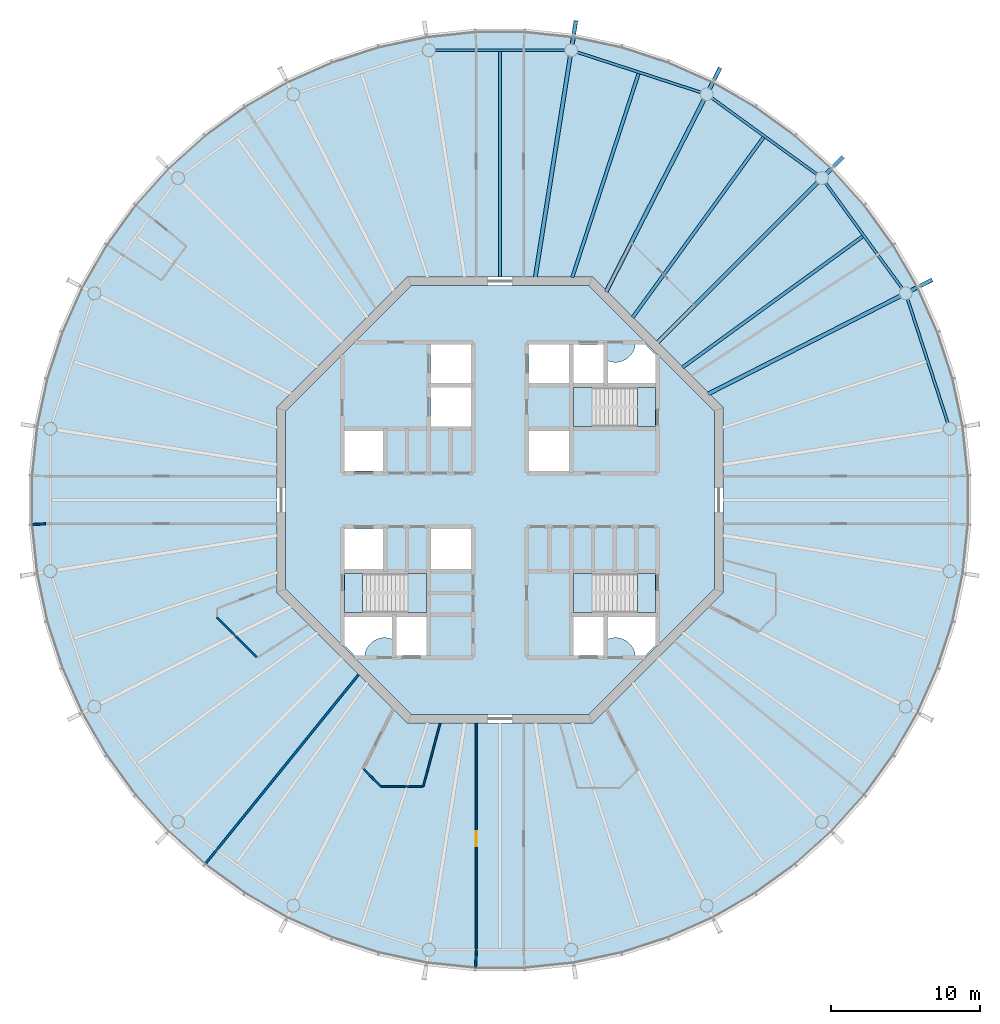
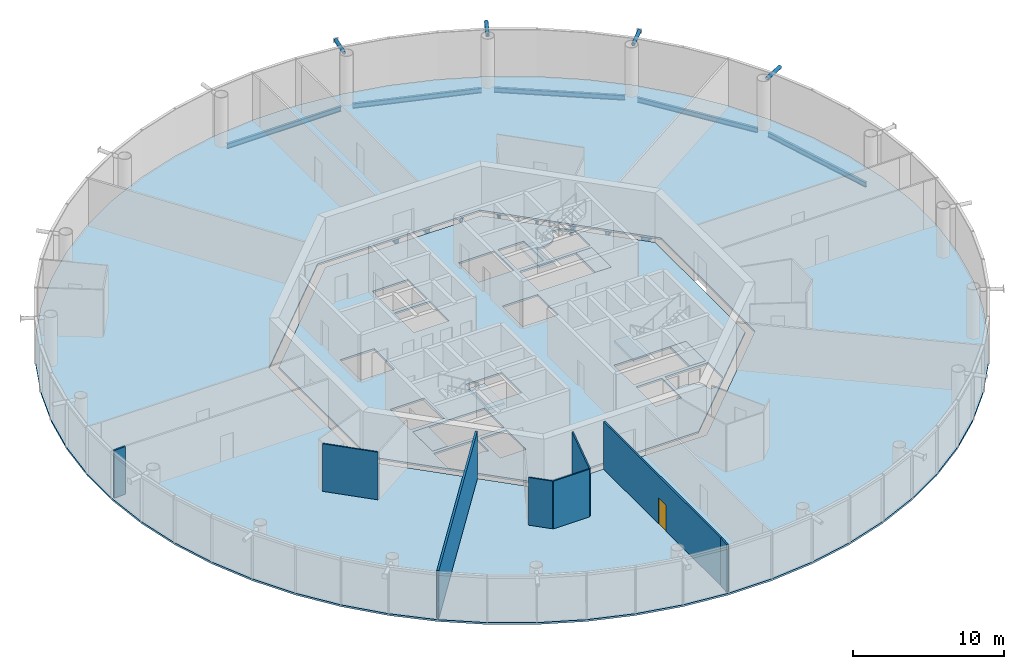
# One storey, part 2 of 19: 13 beams, 8 slabs, 8 walls, 4 members, 1 door, 1 opening, 3 elements without a shape of their own.
"""IFC4 building model written with IfcOpenShell, lengths in metres."""

import ifcopenshell
import ifcopenshell.guid

model = None  # the IFC model being written
_history = None  # IfcOwnerHistory: only IFC2X3 demands one
_inside = {}  # id of a spatial element -> (the spatial element, [elements in it])
_under = {}  # id of a project, library or spatial element -> (it, [spatial elements below it])
_declared = {}  # id of a project -> (the project, [libraries it declares])
_typed = {}  # id of a type object -> (the type object, [elements of that type])
_made_of = {}  # id of a material, layer set ... -> (it, [elements and type objects made of it])


def new_model(schema):
    """Start an empty IFC model of exactly this schema.

    Asked for "IFC4X3", IfcOpenShell would pick the latest addendum, in which some entities
    have other attributes; the version numbers below select the first issue.
    IFC2X3 requires an IfcOwnerHistory on every rooted entity: one is made here for all.
    """
    global model, _history
    if schema == "IFC4X3":
        model = ifcopenshell.file(schema_version=(4, 3, 0, 0))
    else:
        model = ifcopenshell.file(schema=schema)
    _inside.clear()
    _under.clear()
    _declared.clear()
    _typed.clear()
    _made_of.clear()
    _history = None
    if model.schema == "IFC2X3":
        org = make("IfcOrganization", Name="unknown")
        user = make(
            "IfcPersonAndOrganization",
            ThePerson=make("IfcPerson", FamilyName="unknown"),
            TheOrganization=org,
        )
        app = make(
            "IfcApplication",
            ApplicationDeveloper=org,
            Version="unknown",
            ApplicationFullName="unknown",
            ApplicationIdentifier="unknown",
        )
        _history = make(
            "IfcOwnerHistory",
            OwningUser=user,
            OwningApplication=app,
            ChangeAction="ADDED",
            CreationDate=0,
        )
    return model


def make(cls, **values):
    """One entity of the class cls with the attributes given. An attribute that is None is left unset."""
    return model.create_entity(
        cls, **{name: value for name, value in values.items() if value is not None}
    )


def rooted(cls, **values):
    """An entity with a GlobalId (a new one), such as an element, a storey or a relation."""
    return make(cls, GlobalId=ifcopenshell.guid.new(), OwnerHistory=_history, **values)


def si_unit(unit_type, name, prefix=None):
    """IfcSIUnit, for example si_unit("LENGTHUNIT", "METRE", prefix="MILLI")."""
    return make("IfcSIUnit", UnitType=unit_type, Prefix=prefix, Name=name)


def assignment(units):
    """IfcUnitAssignment: the units of a project."""
    return None if units is None else make("IfcUnitAssignment", Units=units)


def point(xyz):
    """IfcCartesianPoint."""
    return None if xyz is None else make("IfcCartesianPoint", Coordinates=xyz)


def direction(xyz):
    """IfcDirection."""
    return None if xyz is None else make("IfcDirection", DirectionRatios=xyz)


def frame(location, z_axis=None, x_axis=None):
    """IfcAxis2Placement3D, a coordinate frame: its origin and axes. An axis left out is left unset."""
    return make(
        "IfcAxis2Placement3D",
        Location=point(location),
        Axis=direction(z_axis),
        RefDirection=direction(x_axis),
    )


def frame_2d(location, x_axis=None):
    """IfcAxis2Placement2D, a coordinate frame in the plane: its origin and x axis."""
    return make(
        "IfcAxis2Placement2D", Location=point(location), RefDirection=direction(x_axis)
    )


def origin():
    """The frame at (0, 0, 0) with its axes left unset."""
    return frame((0.0, 0.0, 0.0))


def origin_2d():
    """The frame at (0, 0) in the plane with its x axis left unset."""
    return frame_2d((0.0, 0.0))


def place(relative_to, where):
    """IfcLocalPlacement: puts the frame where relative to a parent placement (None: the world)."""
    return make(
        "IfcLocalPlacement", PlacementRelTo=relative_to, RelativePlacement=where
    )


def context(
    kind, dimensions, precision=None, world=None, true_north=None, identifier=None
):
    """IfcGeometricRepresentationContext, for example the 3D "Model" context."""
    return make(
        "IfcGeometricRepresentationContext",
        ContextIdentifier=identifier,
        ContextType=kind,
        CoordinateSpaceDimension=dimensions,
        Precision=precision,
        WorldCoordinateSystem=world,
        TrueNorth=true_north,
    )


def subcontext(parent, identifier, kind, view, scale=None):
    """IfcGeometricRepresentationSubContext, for example "Body" below "Model"."""
    return make(
        "IfcGeometricRepresentationSubContext",
        ContextIdentifier=identifier,
        ContextType=kind,
        ParentContext=parent,
        TargetScale=scale,
        TargetView=view,
    )


def project(units=None, contexts=None):
    """IfcProject with its units and contexts."""
    return rooted(
        "IfcProject",
        Name="project",
        RepresentationContexts=contexts,
        UnitsInContext=assignment(units),
    )


def spatial(cls, under=None, at=None, **own):
    """A site, building, storey or space (cls), placed at a placement, below another one or the project."""
    s = rooted(cls, ObjectPlacement=at, **own)
    if under is not None:
        _under.setdefault(under.id(), (under, []))[1].append(s)
    return s


def polyline(points):
    """IfcPolyline through the points."""
    return make("IfcPolyline", Points=[point(p) for p in points])


def profile(cls, at=None, kind="AREA", **sizes):
    """A parametric profile (cls). Its sizes go by their IFC names, for example OverallWidth=200.0."""
    return make(cls, ProfileType=kind, Position=at, **sizes)


def rectangle(**sizes):
    """IfcRectangleProfileDef."""
    return profile("IfcRectangleProfileDef", **sizes)


def circle(**sizes):
    """IfcCircleProfileDef."""
    return profile("IfcCircleProfileDef", **sizes)


def hollow_circle(**sizes):
    """IfcCircleHollowProfileDef."""
    return profile("IfcCircleHollowProfileDef", **sizes)


def i_section(**sizes):
    """IfcIShapeProfileDef."""
    return profile("IfcIShapeProfileDef", **sizes)


def outline(outer, holes=None, kind="AREA"):
    """IfcArbitraryClosedProfileDef: a profile drawn as a closed curve; with holes, ...WithVoids."""
    if holes is None:
        return make("IfcArbitraryClosedProfileDef", ProfileType=kind, OuterCurve=outer)
    return make(
        "IfcArbitraryProfileDefWithVoids",
        ProfileType=kind,
        OuterCurve=outer,
        InnerCurves=holes,
    )


def extrude(swept, where, along, depth):
    """IfcExtrudedAreaSolid: the profile swept, set in the frame where, extruded along a direction by depth."""
    return make(
        "IfcExtrudedAreaSolid",
        SweptArea=swept,
        Position=where,
        ExtrudedDirection=direction(along),
        Depth=depth,
    )


def shape(context_of_items, identifier, shape_type, items):
    """IfcShapeRepresentation: the items that make up one representation, for example the "Body"."""
    return make(
        "IfcShapeRepresentation",
        ContextOfItems=context_of_items,
        RepresentationIdentifier=identifier,
        RepresentationType=shape_type,
        Items=items,
    )


def material(Name=None, Category=None):
    """IfcMaterial."""
    return make("IfcMaterial", Name=Name, Category=Category)


def layer(
    of_material, thickness, ventilated=None, Name=None, Category=None, Priority=None
):
    """IfcMaterialLayer: one layer of a wall or slab, of a material (None: an air gap)."""
    return make(
        "IfcMaterialLayer",
        Material=of_material,
        LayerThickness=thickness,
        IsVentilated=ventilated,
        Name=Name,
        Category=Category,
        Priority=Priority,
    )


def layer_set(layers, Name=None):
    """IfcMaterialLayerSet."""
    return make("IfcMaterialLayerSet", MaterialLayers=layers, LayerSetName=Name)


def material_profile(
    of_material, cross_section, Name=None, Category=None, Priority=None
):
    """IfcMaterialProfile: a cross section and its material."""
    return make(
        "IfcMaterialProfile",
        Name=Name,
        Material=of_material,
        Profile=cross_section,
        Priority=Priority,
        Category=Category,
    )


def profile_set(profiles, Name=None, composite=None):
    """IfcMaterialProfileSet."""
    return make(
        "IfcMaterialProfileSet",
        Name=Name,
        MaterialProfiles=profiles,
        CompositeProfile=composite,
    )


def made_of(thing, what):
    """Note that an element or type object is made of a material, layer set ...; save() writes the relation."""
    if what is not None:
        _made_of.setdefault(what.id(), (what, []))[1].append(thing)
    return thing


def type_object(cls, material=None, **own):
    """A type object (cls), such as IfcWallType, which elements share."""
    return made_of(rooted(cls, **own), material)


def element(
    cls,
    number,
    at=None,
    inside=None,
    cuts=None,
    type_object=None,
    material=None,
    context=None,
    identifier="Body",
    shape_type=None,
    held_by="IfcProductDefinitionShape",
    body=None,
    shapes=None,
    **own,
):
    """One element of the class cls, such as IfcWall. Its Tag is "e" and its number.

    at: its placement. inside: the storey or other place that contains it. cuts: it is an
    opening in that element (IfcRelVoidsElement). A single representation is given by context,
    identifier, shape_type and body (its items); several are given by shapes. held_by: the class
    of the entity that holds the representations. save() writes the other relations.
    """
    e = rooted(cls, Tag="e%d" % number, ObjectPlacement=at, **own)
    if body is not None:
        shapes = [shape(context, identifier, shape_type, body)]
    if shapes is not None:
        e.Representation = make(held_by, Representations=shapes)
    if inside is not None:
        _inside.setdefault(inside.id(), (inside, []))[1].append(e)
    if cuts is not None:
        rooted(
            "IfcRelVoidsElement", RelatingBuildingElement=cuts, RelatedOpeningElement=e
        )
    if type_object is not None:
        _typed.setdefault(type_object.id(), (type_object, []))[1].append(e)
    return made_of(e, material)


def fill(opening, filler):
    """IfcRelFillsElement: the door or window that sits in an opening."""
    return rooted(
        "IfcRelFillsElement",
        RelatingOpeningElement=opening,
        RelatedBuildingElement=filler,
    )


def aggregate(whole, parts):
    """IfcRelAggregates: a whole, such as a stair, and the parts it consists of."""
    return rooted("IfcRelAggregates", RelatingObject=whole, RelatedObjects=parts)


def save(model, path):
    """Write the relations noted so far, then the file.

    IfcRelAggregates (storeys below a building ...), IfcRelContainedInSpatialStructure (elements
    in a storey), IfcRelDefinesByType, IfcRelAssociatesMaterial and IfcRelDeclares: one each for
    every whole, place, type object, material and project.
    """
    for whole, parts in _under.values():
        aggregate(whole, parts)
    for where, things in _inside.values():
        rooted(
            "IfcRelContainedInSpatialStructure",
            RelatedElements=things,
            RelatingStructure=where,
        )
    for kind, things in _typed.values():
        rooted("IfcRelDefinesByType", RelatedObjects=things, RelatingType=kind)
    for what, things in _made_of.values():
        rooted("IfcRelAssociatesMaterial", RelatedObjects=things, RelatingMaterial=what)
    for by, libraries in _declared.values():
        rooted("IfcRelDeclares", RelatingContext=by, RelatedDefinitions=libraries)
    model.write(path)


model = new_model("IFC4")

# Units and contexts
model_context = context("Model", 3, precision=1e-05, world=origin(), true_north=direction((0.0, 1.0)))
body_context = subcontext(model_context, "Body", "Model", "MODEL_VIEW")
ifc_project = project(units=[si_unit("LENGTHUNIT", "METRE"), si_unit("AREAUNIT", "SQUARE_METRE"), si_unit("VOLUMEUNIT", "CUBIC_METRE"), si_unit("PLANEANGLEUNIT", "RADIAN"), si_unit("MASSUNIT", "GRAM", prefix="KILO")], contexts=[model_context])

# Site, building, storey
site_placement = place(None, origin())
site = spatial("IfcSite", under=ifc_project, at=site_placement, CompositionType="ELEMENT")
building_placement = place(site_placement, origin())
building = spatial("IfcBuilding", under=site, at=building_placement, Name="Entoto Ring Tower", CompositionType="ELEMENT")
storey_placement = place(building_placement, frame((0.0, 0.0, 368.0)))
storey = spatial("IfcBuildingStorey", under=building, at=storey_placement, Name="L85", CompositionType="ELEMENT", Elevation=368.0)

# Members
ifc_material_1 = material(Name="Steel S355", Category="steel")
ifc_material_profile_1 = material_profile(ifc_material_1, hollow_circle(Radius=0.136474609375, WallThickness=0.012451171875, at=origin_2d()), Name="CHS 273 x 12.5")
ifc_material_2 = material(Name="Concrete C60/75", Category="concrete")
ifc_material_profile_2 = material_profile(ifc_material_2, circle(Radius=0.1240234375, at=origin_2d()), Name="Concrete C60/75 infill")
ifc_profile_set_1 = profile_set([ifc_material_profile_1, ifc_material_profile_2], Name="Steel S355")
member_type = type_object("IfcMemberType", Name="Diagrid node strut 273 x 12.5", PredefinedType="STRUT", material=ifc_profile_set_1)
for number, where, z_axis, x_axis, name in (
    (1, (117.62890625, 94.07763671875, 3.71337890625), (0.891026618078, 0.453951061104, 0.0), (-0.453951061104, 0.891026618078, 0.0), "DS2 strut ring 27 01"),
    (2, (111.926513671875, 101.926513671875, 3.71337890625), (0.707106781187, 0.707106781187, 0.0), (-0.707106781187, 0.707106781187, 0.0), "DS2 strut ring 27 02"),
    (3, (104.07763671875, 107.62890625, 3.71337890625), (0.453951061104, 0.891026618078, 0.0), (-0.891026618078, 0.453951061104, 0.0), "DS2 strut ring 27 03"),
    (4, (94.850830078125, 110.626953125, 3.71337890625), (0.156482501672, 0.987680731143, 0.0), (-0.987680731143, 0.156482501672, 0.0), "DS2 strut ring 27 04"),
):
    element("IfcMember", number, at=place(storey_placement, frame(where, z_axis=z_axis, x_axis=x_axis)), inside=storey, type_object=member_type, Name=name, PredefinedType="STRUT", context=body_context, shape_type="SweptSolid", body=[
        extrude(hollow_circle(Radius=0.136474609375, WallThickness=0.012451171875, at=origin_2d()), origin(), (0.0, 0.0, 1.0), 1.59130859375),
    ])

# Beams
ifc_material_3 = material(Name="Steel S355", Category="steel")
ifc_material_profile_3 = material_profile(ifc_material_3, i_section(OverallWidth=0.179931640625, OverallDepth=0.39990234375, WebThickness=0.008544921875, FlangeThickness=0.013427734375, FilletRadius=0.02099609375, at=origin_2d()), Name="IPE 400")
ifc_profile_set_2 = profile_set([ifc_material_profile_3], Name="Steel S355")
beam_type_1 = type_object("IfcBeamType", Name="Edge beam IPE 400", PredefinedType="SPANDREL", material=ifc_profile_set_2)
beam_1_placement = place(storey_placement, frame((120.09326171875, 85.187255859375, -0.35009765625), z_axis=(-0.309030438368, 0.951052147972, 0.0), x_axis=(-0.951052147972, -0.309030438368, 0.0)))
element("IfcBeam", 5, at=beam_1_placement, inside=storey, type_object=beam_type_1, Name="Edge beam L85 01", PredefinedType="SPANDREL", context=body_context, shape_type="SweptSolid", body=[
    extrude(i_section(OverallWidth=0.179931640625, OverallDepth=0.39990234375, WebThickness=0.008544921875, FlangeThickness=0.013427734375, FilletRadius=0.02099609375, at=origin_2d()), origin(), (0.0, 0.0, 1.0), 8.732177734375),
])
for number, where, z_axis, x_axis, name in (
    (6, (117.017333984375, 94.232666015625, -0.35009765625), (-0.587794254874, 0.80901045354, 0.0), (-0.80901045354, -0.587794254874, 0.0), "Edge beam L85 02"),
    (7, (111.296875, 101.884765625, -0.35009765625), (-0.80901045354, 0.587794254874, 0.0), (-0.587794254874, -0.80901045354, 0.0), "Edge beam L85 03"),
):
    element("IfcBeam", number, at=place(storey_placement, frame(where, z_axis=z_axis, x_axis=x_axis)), inside=storey, type_object=beam_type_1, Name=name, PredefinedType="SPANDREL", context=body_context, shape_type="SweptSolid", body=[
        extrude(i_section(OverallWidth=0.179931640625, OverallDepth=0.39990234375, WebThickness=0.008544921875, FlangeThickness=0.013427734375, FilletRadius=0.02099609375, at=origin_2d()), origin(), (0.0, 0.0, 1.0), 8.73193359375),
    ])
beam_2_placement = place(storey_placement, frame((103.491943359375, 107.394775390625, -0.35009765625), z_axis=(-0.951052147972, 0.309030438368, 0.0), x_axis=(-0.309030438368, -0.951052147972, 0.0)))
element("IfcBeam", 8, at=beam_2_placement, inside=storey, type_object=beam_type_1, Name="Edge beam L85 04", PredefinedType="SPANDREL", context=body_context, shape_type="SweptSolid", body=[
    extrude(i_section(OverallWidth=0.179931640625, OverallDepth=0.39990234375, WebThickness=0.008544921875, FlangeThickness=0.013427734375, FilletRadius=0.02099609375, at=origin_2d()), origin(), (0.0, 0.0, 1.0), 8.732177734375),
])
beam_3_placement = place(storey_placement, frame((94.365966796875, 110.22314453125, -0.35009765625), z_axis=(-1.0, 0.0, 0.0), x_axis=(0.0, -1.0, 0.0)))
element("IfcBeam", 9, at=beam_3_placement, inside=storey, type_object=beam_type_1, Name="Edge beam L85 05", PredefinedType="SPANDREL", context=body_context, shape_type="SweptSolid", body=[
    extrude(i_section(OverallWidth=0.179931640625, OverallDepth=0.39990234375, WebThickness=0.008544921875, FlangeThickness=0.013427734375, FilletRadius=0.02099609375, at=origin_2d()), origin(), (0.0, 0.0, 1.0), 8.73193359375),
])
ifc_material_4 = material(Name="Steel S355", Category="steel")
ifc_material_profile_4 = material_profile(ifc_material_4, i_section(OverallWidth=0.262939453125, OverallDepth=0.7529296875, WebThickness=0.011474609375, FlangeThickness=0.01708984375, FilletRadius=0.01708984375, at=origin_2d()), Name="IPE 750 x 137")
ifc_profile_set_3 = profile_set([ifc_material_profile_4], Name="Steel S355")
beam_type_2 = type_object("IfcBeamType", Name="Primary floor beam IPE 750 x 137", PredefinedType="BEAM", material=ifc_profile_set_3)
beam_4_placement = place(storey_placement, frame((103.9970703125, 87.1318359375, -0.526611328125), z_axis=(0.89100578373, 0.453991952968, 0.0), x_axis=(-0.453991952968, 0.89100578373, 0.0)))
element("IfcBeam", 10, at=beam_4_placement, inside=storey, type_object=beam_type_2, Name="Primary L85 R02", PredefinedType="BEAM", context=body_context, shape_type="SweptSolid", body=[
    extrude(i_section(OverallWidth=0.262939453125, OverallDepth=0.7529296875, WebThickness=0.011474609375, FlangeThickness=0.01708984375, FilletRadius=0.01708984375, at=origin_2d()), origin(), (0.0, 0.0, 1.0), 14.48046875),
])
beam_5_placement = place(storey_placement, frame((100.592529296875, 90.592529296875, -0.526611328125), z_axis=(0.707106781187, 0.707106781187, 0.0), x_axis=(-0.707106781187, 0.707106781187, 0.0)))
element("IfcBeam", 11, at=beam_5_placement, inside=storey, type_object=beam_type_2, Name="Primary L85 R03", PredefinedType="BEAM", context=body_context, shape_type="SweptSolid", body=[
    extrude(i_section(OverallWidth=0.262939453125, OverallDepth=0.7529296875, WebThickness=0.011474609375, FlangeThickness=0.01708984375, FilletRadius=0.01708984375, at=origin_2d()), origin(), (0.0, 0.0, 1.0), 15.209716796875),
])
beam_6_placement = place(storey_placement, frame((97.1318359375, 93.9970703125, -0.526611328125), z_axis=(0.453991952968, 0.89100578373, 0.0), x_axis=(-0.89100578373, 0.453991952968, 0.0)))
element("IfcBeam", 12, at=beam_6_placement, inside=storey, type_object=beam_type_2, Name="Primary L85 R04", PredefinedType="BEAM", context=body_context, shape_type="SweptSolid", body=[
    extrude(i_section(OverallWidth=0.262939453125, OverallDepth=0.7529296875, WebThickness=0.011474609375, FlangeThickness=0.01708984375, FilletRadius=0.01708984375, at=origin_2d()), origin(), (0.0, 0.0, 1.0), 14.48046875),
])
beam_7_placement = place(storey_placement, frame((92.369384765625, 94.959716796875, -0.526611328125), z_axis=(0.156432586517, 0.987688638122, 0.0), x_axis=(-0.987688638122, 0.156432586517, 0.0)))
element("IfcBeam", 13, at=beam_7_placement, inside=storey, type_object=beam_type_2, Name="Primary L85 R05", PredefinedType="BEAM", context=body_context, shape_type="SweptSolid", body=[
    extrude(i_section(OverallWidth=0.262939453125, OverallDepth=0.7529296875, WebThickness=0.011474609375, FlangeThickness=0.01708984375, FilletRadius=0.01708984375, at=origin_2d()), origin(), (0.0, 0.0, 1.0), 15.04345703125),
])
ifc_material_5 = material(Name="Steel S355", Category="steel")
ifc_material_profile_5 = material_profile(ifc_material_5, i_section(OverallWidth=0.219970703125, OverallDepth=0.60009765625, WebThickness=0.011962890625, FlangeThickness=0.01904296875, FilletRadius=0.02392578125, at=origin_2d()), Name="IPE 600")
ifc_profile_set_4 = profile_set([ifc_material_profile_5], Name="Steel S355")
beam_type_3 = type_object("IfcBeamType", Name="Secondary floor beam IPE 600", PredefinedType="JOIST", material=ifc_profile_set_4)
for number, where, z_axis, x_axis, name in (
    (14, (102.25634765625, 88.90478515625, -0.449951171875), (0.809019238239, 0.587782163866, 0.0), (-0.587782163866, 0.809019238239, 0.0), "Secondary beam L85 02"),
    (15, (98.90478515625, 92.25634765625, -0.449951171875), (0.587782163866, 0.809019238239, 0.0), (-0.809019238239, 0.587782163866, 0.0), "Secondary beam L85 03"),
):
    element("IfcBeam", number, at=place(storey_placement, frame(where, z_axis=z_axis, x_axis=x_axis)), inside=storey, type_object=beam_type_3, Name=name, PredefinedType="JOIST", context=body_context, shape_type="SweptSolid", body=[
        extrude(i_section(OverallWidth=0.219970703125, OverallDepth=0.60009765625, WebThickness=0.011962890625, FlangeThickness=0.01904296875, FilletRadius=0.02392578125, at=origin_2d()), origin(), (0.0, 0.0, 1.0), 14.983642578125),
    ])
beam_8_placement = place(storey_placement, frame((94.856689453125, 94.947021484375, -0.449951171875), z_axis=(0.309014850288, 0.951057212949, 0.0), x_axis=(-0.951057212949, 0.309014850288, 0.0)))
element("IfcBeam", 16, at=beam_8_placement, inside=storey, type_object=beam_type_3, Name="Secondary beam L85 04", PredefinedType="JOIST", context=body_context, shape_type="SweptSolid", body=[
    extrude(i_section(OverallWidth=0.219970703125, OverallDepth=0.60009765625, WebThickness=0.011962890625, FlangeThickness=0.01904296875, FilletRadius=0.02392578125, at=origin_2d()), origin(), (0.0, 0.0, 1.0), 14.4169921875),
])
beam_9_placement = place(storey_placement, frame((90.0, 94.97998046875, -0.449951171875), z_axis=(0.0, 1.0, 0.0), x_axis=(-1.0, 0.0, 0.0)))
element("IfcBeam", 17, at=beam_9_placement, inside=storey, type_object=beam_type_3, Name="Secondary beam L85 05", PredefinedType="JOIST", context=body_context, shape_type="SweptSolid", body=[
    extrude(i_section(OverallWidth=0.219970703125, OverallDepth=0.60009765625, WebThickness=0.011962890625, FlangeThickness=0.01904296875, FilletRadius=0.02392578125, at=origin_2d()), origin(), (0.0, 0.0, 1.0), 15.1533203125),
])

# Slabs
ifc_material_6 = material(Name="Concrete C30/37", Category="concrete")
ifc_layer_1 = layer(ifc_material_6, 0.14990234375)
ifc_layer_set_1 = layer_set([ifc_layer_1], Name="Concrete C30/37")
slab_type_1 = type_object("IfcSlabType", Name="Composite floor slab 150 mm", PredefinedType="FLOOR", material=ifc_layer_set_1)
slab_1_placement = place(storey_placement, frame((0.0, 0.0, -0.14990234375)))
element("IfcSlab", 18, at=slab_1_placement, inside=storey, type_object=slab_type_1, Name="Floor slab L85", PredefinedType="FLOOR", context=body_context, shape_type="SweptSolid", body=[
    extrude(outline(polyline([(121.2109375, 84.943359375), (120.523193359375, 88.1787109375), (119.501220703125, 91.324462890625), (118.15576171875, 94.34619140625), (116.501953125, 97.210693359375), (114.557861328125, 99.886474609375), (112.344482421875, 102.344482421875), (109.886474609375, 104.557861328125), (107.210693359375, 106.501953125), (104.34619140625, 108.15576171875), (101.324462890625, 109.501220703125), (98.1787109375, 110.523193359375), (94.943359375, 111.2109375), (91.65380859375, 111.556640625), (88.34619140625, 111.556640625), (85.056640625, 111.2109375), (81.8212890625, 110.523193359375), (78.675537109375, 109.501220703125), (75.65380859375, 108.15576171875), (72.789306640625, 106.501953125), (70.113525390625, 104.557861328125), (67.655517578125, 102.344482421875), (65.442138671875, 99.886474609375), (63.498046875, 97.210693359375), (61.84423828125, 94.34619140625), (60.498779296875, 91.324462890625), (59.476806640625, 88.1787109375), (58.7890625, 84.943359375), (58.443359375, 81.65380859375), (58.443359375, 78.34619140625), (58.7890625, 75.056640625), (59.476806640625, 71.8212890625), (60.498779296875, 68.675537109375), (61.84423828125, 65.65380859375), (63.498046875, 62.789306640625), (65.442138671875, 60.113525390625), (67.655517578125, 57.655517578125), (70.113525390625, 55.442138671875), (72.789306640625, 53.498046875), (75.65380859375, 51.84423828125), (78.675537109375, 50.498779296875), (81.8212890625, 49.476806640625), (85.056640625, 48.7890625), (88.34619140625, 48.443359375), (91.65380859375, 48.443359375), (94.943359375, 48.7890625), (98.1787109375, 49.476806640625), (101.324462890625, 50.498779296875), (104.34619140625, 51.84423828125), (107.210693359375, 53.498046875), (109.886474609375, 55.442138671875), (112.344482421875, 57.655517578125), (114.557861328125, 60.113525390625), (116.501953125, 62.789306640625), (118.15576171875, 65.65380859375), (119.501220703125, 68.675537109375), (120.523193359375, 71.8212890625), (121.2109375, 75.056640625), (121.556640625, 78.34619140625), (121.556640625, 81.65380859375), (121.2109375, 84.943359375)]), holes=[polyline([(105.0, 73.786865234375), (105.0, 86.213134765625), (96.213134765625, 95.0), (83.786865234375, 95.0), (75.0, 86.213134765625), (75.0, 73.786865234375), (83.786865234375, 65.0), (96.213134765625, 65.0), (105.0, 73.786865234375)])]), origin(), (0.0, 0.0, 1.0), 0.14990234375),
])
ifc_material_7 = material(Name="Concrete C40/50", Category="concrete")
ifc_layer_2 = layer(ifc_material_7, 0.14990234375)
ifc_layer_set_2 = layer_set([ifc_layer_2], Name="Concrete C40/50")
slab_type_2 = type_object("IfcSlabType", Name="Core floor slab 150 mm reinforced concrete C40/50", PredefinedType="FLOOR", material=ifc_layer_set_2)
slab_2_placement = place(storey_placement, frame((0.0, 0.0, -0.14990234375)))
element("IfcSlab", 19, at=slab_2_placement, inside=storey, type_object=slab_type_2, Name="Core floor L85", PredefinedType="FLOOR", context=body_context, shape_type="SweptSolid", body=[
    extrude(outline(polyline([(104.39990234375, 74.035400390625), (104.39990234375, 85.964599609375), (95.964599609375, 94.39990234375), (84.035400390625, 94.39990234375), (75.60009765625, 85.964599609375), (75.60009765625, 74.035400390625), (84.035400390625, 65.60009765625), (95.964599609375, 65.60009765625), (104.39990234375, 74.035400390625)]), holes=[polyline([(100.449951171875, 84.949951171875), (100.449951171875, 87.550048828125), (94.949951171875, 87.550048828125), (94.949951171875, 84.949951171875), (100.449951171875, 84.949951171875)]), polyline([(85.050048828125, 72.449951171875), (85.050048828125, 75.050048828125), (79.550048828125, 75.050048828125), (79.550048828125, 72.449951171875), (85.050048828125, 72.449951171875)]), polyline([(100.449951171875, 72.449951171875), (100.449951171875, 75.050048828125), (94.949951171875, 75.050048828125), (94.949951171875, 72.449951171875), (100.449951171875, 72.449951171875)]), polyline([(94.949951171875, 90.449951171875), (94.949951171875, 87.85009765625), (96.949951171875, 87.85009765625), (96.949951171875, 90.449951171875), (94.949951171875, 90.449951171875)]), polyline([(94.949951171875, 72.14990234375), (94.949951171875, 69.550048828125), (96.949951171875, 69.550048828125), (96.949951171875, 72.14990234375), (94.949951171875, 72.14990234375)]), polyline([(83.050048828125, 72.14990234375), (83.050048828125, 69.550048828125), (85.050048828125, 69.550048828125), (85.050048828125, 72.14990234375), (83.050048828125, 72.14990234375)]), polyline([(79.550048828125, 81.949951171875), (82.14990234375, 81.949951171875), (82.14990234375, 84.64990234375), (79.550048828125, 84.64990234375), (79.550048828125, 81.949951171875)]), polyline([(79.550048828125, 75.35009765625), (82.14990234375, 75.35009765625), (82.14990234375, 78.050048828125), (79.550048828125, 78.050048828125), (79.550048828125, 75.35009765625)]), polyline([(91.949951171875, 87.85009765625), (94.64990234375, 87.85009765625), (94.64990234375, 90.449951171875), (91.949951171875, 90.449951171875), (91.949951171875, 87.85009765625)]), polyline([(91.949951171875, 81.949951171875), (94.64990234375, 81.949951171875), (94.64990234375, 84.64990234375), (91.949951171875, 84.64990234375), (91.949951171875, 81.949951171875)]), polyline([(85.35009765625, 75.35009765625), (88.050048828125, 75.35009765625), (88.050048828125, 78.050048828125), (85.35009765625, 78.050048828125), (85.35009765625, 75.35009765625)]), polyline([(85.35009765625, 84.949951171875), (88.050048828125, 84.949951171875), (88.050048828125, 87.550048828125), (85.35009765625, 87.550048828125), (85.35009765625, 84.949951171875)]), polyline([(85.35009765625, 87.85009765625), (88.050048828125, 87.85009765625), (88.050048828125, 90.449951171875), (85.35009765625, 90.449951171875), (85.35009765625, 87.85009765625)]), polyline([(97.199951171875, 89.368408203125), (97.199951171875, 87.800048828125), (100.5, 87.800048828125), (100.5, 89.723388671875), (99.723388671875, 90.5), (99.09521484375, 90.5), (99.093505859375, 90.4677734375), (99.07421875, 90.336669921875), (99.0419921875, 90.2080078125), (98.997314453125, 90.08349609375), (98.940673828125, 89.963623046875), (98.87255859375, 89.85009765625), (98.793701171875, 89.74365234375), (98.70458984375, 89.6455078125), (98.6064453125, 89.556396484375), (98.5, 89.4775390625), (98.386474609375, 89.409423828125), (98.2666015625, 89.352783203125), (98.141845703125, 89.30810546875), (98.013427734375, 89.27587890625), (97.88232421875, 89.256591796875), (97.75, 89.25), (97.61767578125, 89.256591796875), (97.486572265625, 89.27587890625), (97.358154296875, 89.30810546875), (97.2333984375, 89.352783203125), (97.199951171875, 89.368408203125)]), polyline([(80.276611328125, 69.5), (80.90478515625, 69.5), (80.906494140625, 69.5322265625), (80.92578125, 69.663330078125), (80.9580078125, 69.7919921875), (81.002685546875, 69.91650390625), (81.059326171875, 70.036376953125), (81.12744140625, 70.14990234375), (81.206298828125, 70.25634765625), (81.29541015625, 70.3544921875), (81.3935546875, 70.443603515625), (81.5, 70.5224609375), (81.613525390625, 70.590576171875), (81.7333984375, 70.647216796875), (81.858154296875, 70.69189453125), (81.986572265625, 70.72412109375), (82.11767578125, 70.743408203125), (82.25, 70.75), (82.38232421875, 70.743408203125), (82.513427734375, 70.72412109375), (82.641845703125, 70.69189453125), (82.7666015625, 70.647216796875), (82.800048828125, 70.631591796875), (82.800048828125, 72.199951171875), (79.5, 72.199951171875), (79.5, 70.276611328125), (80.276611328125, 69.5)]), polyline([(99.09521484375, 69.5), (99.723388671875, 69.5), (100.5, 70.276611328125), (100.5, 72.199951171875), (97.199951171875, 72.199951171875), (97.199951171875, 70.631591796875), (97.2333984375, 70.647216796875), (97.358154296875, 70.69189453125), (97.486572265625, 70.72412109375), (97.61767578125, 70.743408203125), (97.75, 70.75), (97.88232421875, 70.743408203125), (98.013427734375, 70.72412109375), (98.141845703125, 70.69189453125), (98.2666015625, 70.647216796875), (98.386474609375, 70.590576171875), (98.5, 70.5224609375), (98.6064453125, 70.443603515625), (98.70458984375, 70.3544921875), (98.793701171875, 70.25634765625), (98.87255859375, 70.14990234375), (98.940673828125, 70.036376953125), (98.997314453125, 69.91650390625), (99.0419921875, 69.7919921875), (99.07421875, 69.663330078125), (99.093505859375, 69.5322265625), (99.09521484375, 69.5)])]), origin(), (0.0, 0.0, 1.0), 0.14990234375),
])

# Stair, slabs
ifc_material_8 = material(Name="Concrete C40/50", Category="concrete")
stair_type = type_object("IfcStairType", Name="Exit stair 1200 mm dog-leg reinforced concrete", PredefinedType="HALF_TURN_STAIR", material=ifc_material_8)
stair_1_placement = place(storey_placement, origin())
stair_1 = element("IfcStair", 20, at=stair_1_placement, inside=storey, type_object=stair_type, Name="Exit stair 1", PredefinedType="HALF_TURN_STAIR")
ifc_material_9 = material(Name="Concrete C40/50", Category="concrete")
ifc_layer_3 = layer(ifc_material_9, 0.199951171875)
ifc_layer_set_3 = layer_set([ifc_layer_3], Name="Concrete C40/50")
slab_type_3 = type_object("IfcSlabType", Name="Stair landing 200 mm reinforced concrete", PredefinedType="LANDING", material=ifc_layer_set_3)
slab_3_placement = place(storey_placement, frame((0.0, 0.0, -0.199951171875)))
slab_3 = element("IfcSlab", 21, at=slab_3_placement, type_object=slab_type_3, Name="ST1 landing 1", PredefinedType="LANDING", context=body_context, shape_type="SweptSolid", body=[
    extrude(outline(polyline([(100.449951171875, 84.949951171875), (100.449951171875, 87.550048828125), (99.25, 87.550048828125), (99.25, 84.949951171875), (100.449951171875, 84.949951171875)])), origin(), (0.0, 0.0, 1.0), 0.199951171875),
])
slab_4_placement = place(storey_placement, frame((0.0, 0.0, 1.800048828125)))
slab_4 = element("IfcSlab", 22, at=slab_4_placement, type_object=slab_type_3, Name="ST1 landing 2", PredefinedType="LANDING", context=body_context, shape_type="SweptSolid", body=[
    extrude(outline(polyline([(94.949951171875, 84.949951171875), (96.169921875, 84.949951171875), (96.169921875, 87.550048828125), (94.949951171875, 87.550048828125), (94.949951171875, 84.949951171875)])), origin(), (0.0, 0.0, 1.0), 0.199951171875),
])
aggregate(stair_1, [slab_3, slab_4])

stair_2_placement = place(storey_placement, origin())
stair_2 = element("IfcStair", 23, at=stair_2_placement, inside=storey, type_object=stair_type, Name="Exit stair 2", PredefinedType="HALF_TURN_STAIR")
slab_5_placement = place(storey_placement, frame((0.0, 0.0, -0.199951171875)))
slab_5 = element("IfcSlab", 24, at=slab_5_placement, type_object=slab_type_3, Name="ST2 landing 1", PredefinedType="LANDING", context=body_context, shape_type="SweptSolid", body=[
    extrude(outline(polyline([(80.75, 72.449951171875), (80.75, 75.050048828125), (79.550048828125, 75.050048828125), (79.550048828125, 72.449951171875), (80.75, 72.449951171875)])), origin(), (0.0, 0.0, 1.0), 0.199951171875),
])
slab_6_placement = place(storey_placement, frame((0.0, 0.0, 1.800048828125)))
slab_6 = element("IfcSlab", 25, at=slab_6_placement, type_object=slab_type_3, Name="ST2 landing 2", PredefinedType="LANDING", context=body_context, shape_type="SweptSolid", body=[
    extrude(outline(polyline([(83.830078125, 72.449951171875), (85.050048828125, 72.449951171875), (85.050048828125, 75.050048828125), (83.830078125, 75.050048828125), (83.830078125, 72.449951171875)])), origin(), (0.0, 0.0, 1.0), 0.199951171875),
])
aggregate(stair_2, [slab_5, slab_6])

stair_3_placement = place(storey_placement, origin())
stair_3 = element("IfcStair", 26, at=stair_3_placement, inside=storey, type_object=stair_type, Name="Exit stair 3", PredefinedType="HALF_TURN_STAIR")
slab_7_placement = place(storey_placement, frame((0.0, 0.0, -0.199951171875)))
slab_7 = element("IfcSlab", 27, at=slab_7_placement, type_object=slab_type_3, Name="ST3 landing 1", PredefinedType="LANDING", context=body_context, shape_type="SweptSolid", body=[
    extrude(outline(polyline([(100.449951171875, 72.449951171875), (100.449951171875, 75.050048828125), (99.25, 75.050048828125), (99.25, 72.449951171875), (100.449951171875, 72.449951171875)])), origin(), (0.0, 0.0, 1.0), 0.199951171875),
])
slab_8_placement = place(storey_placement, frame((0.0, 0.0, 1.800048828125)))
slab_8 = element("IfcSlab", 28, at=slab_8_placement, type_object=slab_type_3, Name="ST3 landing 2", PredefinedType="LANDING", context=body_context, shape_type="SweptSolid", body=[
    extrude(outline(polyline([(94.949951171875, 72.449951171875), (96.169921875, 72.449951171875), (96.169921875, 75.050048828125), (94.949951171875, 75.050048828125), (94.949951171875, 72.449951171875)])), origin(), (0.0, 0.0, 1.0), 0.199951171875),
])
aggregate(stair_3, [slab_7, slab_8])

# Wall, opening, door
ifc_material_10 = material(Name="Fire-resisting plasterboard on steel studs", Category="steel")
ifc_layer_4 = layer(ifc_material_10, 0.125)
ifc_layer_set_4 = layer_set([ifc_layer_4], Name="Fire-resisting plasterboard on steel studs")
wall_type_1 = type_object("IfcWallType", Name="Corridor wall 125 mm one-hour plasterboard on steel studs", PredefinedType="PARTITIONING", material=ifc_layer_set_4)
wall_1_placement = place(storey_placement, frame((88.39990234375, 49.47021484375, 0.0), z_axis=(0.0, 0.0, 1.0), x_axis=(0.0, 1.0, 0.0)))
wall_1 = element("IfcWall", 29, at=wall_1_placement, inside=storey, type_object=wall_type_1, Name="partition-L85-003", PredefinedType="PARTITIONING", context=body_context, shape_type="SweptSolid", body=[
    extrude(rectangle(XDim=15.52978515625, YDim=0.125, at=frame_2d((7.764892578125, 0.0))), origin(), (0.0, 0.0, 1.0), 3.85009765625),
])
opening_placement = place(wall_1_placement, frame((7.264892578125, 0.0, 0.0)))
opening = element("IfcOpeningElement", 30, at=opening_placement, cuts=wall_1, Name="Opening A36-D09", PredefinedType="OPENING", context=body_context, shape_type="SweptSolid", body=[
    extrude(rectangle(XDim=1.0, YDim=2.10009765625, at=frame_2d((0.5, 1.050048828125))), frame((0.0, 0.072509765625, 0.0), z_axis=(0.0, -1.0, 0.0), x_axis=(1.0, 0.0, 0.0)), (0.0, 0.0, 1.0), 0.14501953125),
])
ifc_material_11 = material(Name="Fire-resisting timber door set", Category="wood")
door_type = type_object("IfcDoorType", Name="Door 1000 x 2100 single leaf FD30S fire door", OperationType="NOTDEFINED", PredefinedType="DOOR", material=ifc_material_11)
door_placement = place(opening_placement, origin())
door = element("IfcDoor", 31, at=door_placement, inside=storey, type_object=door_type, Name="Door A36-D09", OperationType="SINGLE_SWING_RIGHT", OverallHeight=2.10009765625, OverallWidth=1.0, PredefinedType="DOOR", context=body_context, shape_type="SweptSolid", body=[
    extrude(rectangle(XDim=1.0, YDim=2.10009765625, at=frame_2d((0.5, 1.050048828125))), frame((0.0, 0.02490234375, 0.0), z_axis=(0.0, -1.0, 0.0), x_axis=(1.0, 0.0, 0.0)), (0.0, 0.0, 1.0), 0.050048828125),
])
fill(opening, door)

# Walls
for number, where, z_axis, x_axis, name in (
    (32, (58.60302734375, 78.3544921875, 0.0), (0.0, 0.0, 1.0), (0.998620946423, 0.052499574911, 0.0), "partition-L85-009"),
    (33, (88.3544921875, 48.60302734375, 0.0), (0.0, 0.0, 1.0), (0.052499574911, 0.998620946423, 0.0), "partition-L85-011"),
):
    element("IfcWall", number, at=place(storey_placement, frame(where, z_axis=z_axis, x_axis=x_axis)), inside=storey, type_object=wall_type_1, Name=name, PredefinedType="PARTITIONING", context=body_context, shape_type="SweptSolid", body=[
        extrude(rectangle(XDim=0.864990234375, YDim=0.125, at=frame_2d((0.4326171875, 0.0))), origin(), (0.0, 0.0, 1.0), 3.85009765625),
    ])
ifc_material_12 = material(Name="Plasterboard on steel studs", Category="steel")
ifc_layer_5 = layer(ifc_material_12, 0.10009765625)
ifc_layer_set_5 = layer_set([ifc_layer_5], Name="Plasterboard on steel studs")
wall_type_2 = type_object("IfcWallType", Name="Partition 100 mm plasterboard on steel studs", PredefinedType="PARTITIONING", material=ifc_layer_set_5)
wall_2_placement = place(storey_placement, frame((84.836669921875, 60.72998046875, 0.0), z_axis=(0.0, 0.0, 1.0), x_axis=(0.258796817064, 0.965931782, 0.0)))
element("IfcWall", 34, at=wall_2_placement, inside=storey, type_object=wall_type_2, Name="partition-L85-025", PredefinedType="PARTITIONING", context=body_context, shape_type="SweptSolid", body=[
    extrude(rectangle(XDim=4.420654296875, YDim=0.10009765625, at=frame_2d((2.21044921875, 0.0))), origin(), (0.0, 0.0, 1.0), 3.85009765625),
])
wall_3_placement = place(storey_placement, frame((73.64892578125, 69.4384765625, 0.0), z_axis=(0.0, 0.0, 1.0), x_axis=(-0.707106781187, 0.707106781187, 0.0)))
element("IfcWall", 35, at=wall_3_placement, inside=storey, type_object=wall_type_2, Name="partition-L85-030", PredefinedType="PARTITIONING", context=body_context, shape_type="SweptSolid", body=[
    extrude(rectangle(XDim=3.78857421875, YDim=0.10009765625, at=frame_2d((1.894287109375, 0.0))), origin(), (0.0, 0.0, 1.0), 3.85009765625),
])
wall_4_placement = place(storey_placement, frame((82.01806640625, 60.72998046875, 0.0), z_axis=(0.0, 0.0, 1.0), x_axis=(1.0, 0.0, 0.0)))
element("IfcWall", 36, at=wall_4_placement, inside=storey, type_object=wall_type_2, Name="partition-L85-037", PredefinedType="PARTITIONING", context=body_context, shape_type="SweptSolid", body=[
    extrude(rectangle(XDim=2.770263671875, YDim=0.10009765625, at=frame_2d((1.38525390625, 0.0))), origin(), (0.0, 0.0, 1.0), 3.85009765625),
])
wall_5_placement = place(storey_placement, frame((81.993408203125, 60.7548828125, 0.0), z_axis=(0.0, 0.0, 1.0), x_axis=(-0.707181295837, 0.707032258683, 0.0)))
element("IfcWall", 37, at=wall_5_placement, inside=storey, type_object=wall_type_2, Name="partition-L85-040", PredefinedType="PARTITIONING", context=body_context, shape_type="SweptSolid", body=[
    extrude(rectangle(XDim=1.63818359375, YDim=0.10009765625, at=frame_2d((0.819091796875, 0.0))), origin(), (0.0, 0.0, 1.0), 3.85009765625),
])
ifc_material_13 = material(Name="Fire-resisting acoustic plasterboard on steel studs", Category="steel")
ifc_layer_6 = layer(ifc_material_13, 0.14990234375)
ifc_layer_set_6 = layer_set([ifc_layer_6], Name="Fire-resisting acoustic plasterboard on steel studs")
wall_type_3 = type_object("IfcWallType", Name="Party wall 150 mm one-hour acoustic plasterboard on steel studs", PredefinedType="PARTITIONING", material=ifc_layer_set_6)
wall_6_placement = place(storey_placement, frame((70.214111328125, 55.56640625, 0.0), z_axis=(0.0, 0.0, 1.0), x_axis=(0.629323592667, 0.777143368827, 0.0)))
element("IfcWall", 38, at=wall_6_placement, inside=storey, type_object=wall_type_3, Name="partition-L85-017", PredefinedType="PARTITIONING", context=body_context, shape_type="SweptSolid", body=[
    extrude(rectangle(XDim=16.357666015625, YDim=0.14990234375, at=frame_2d((8.1787109375, 0.0))), origin(), (0.0, 0.0, 1.0), 3.85009765625),
])

save(model, "model.ifc")
